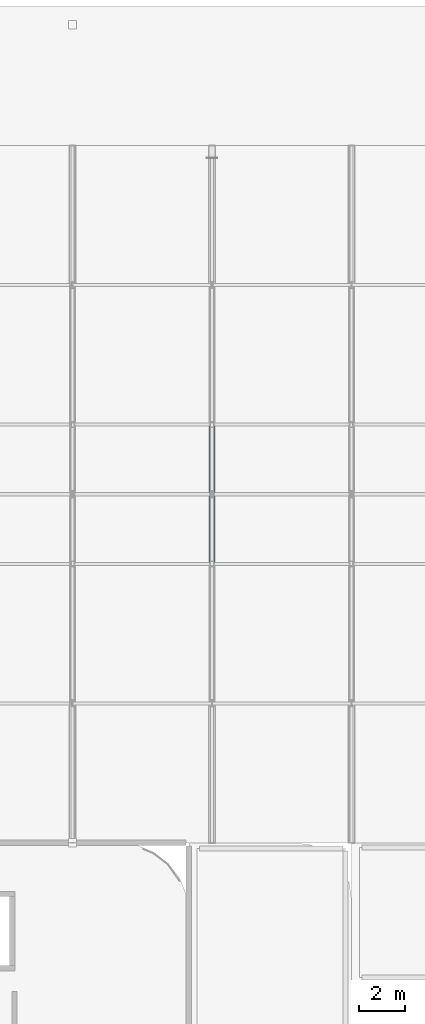
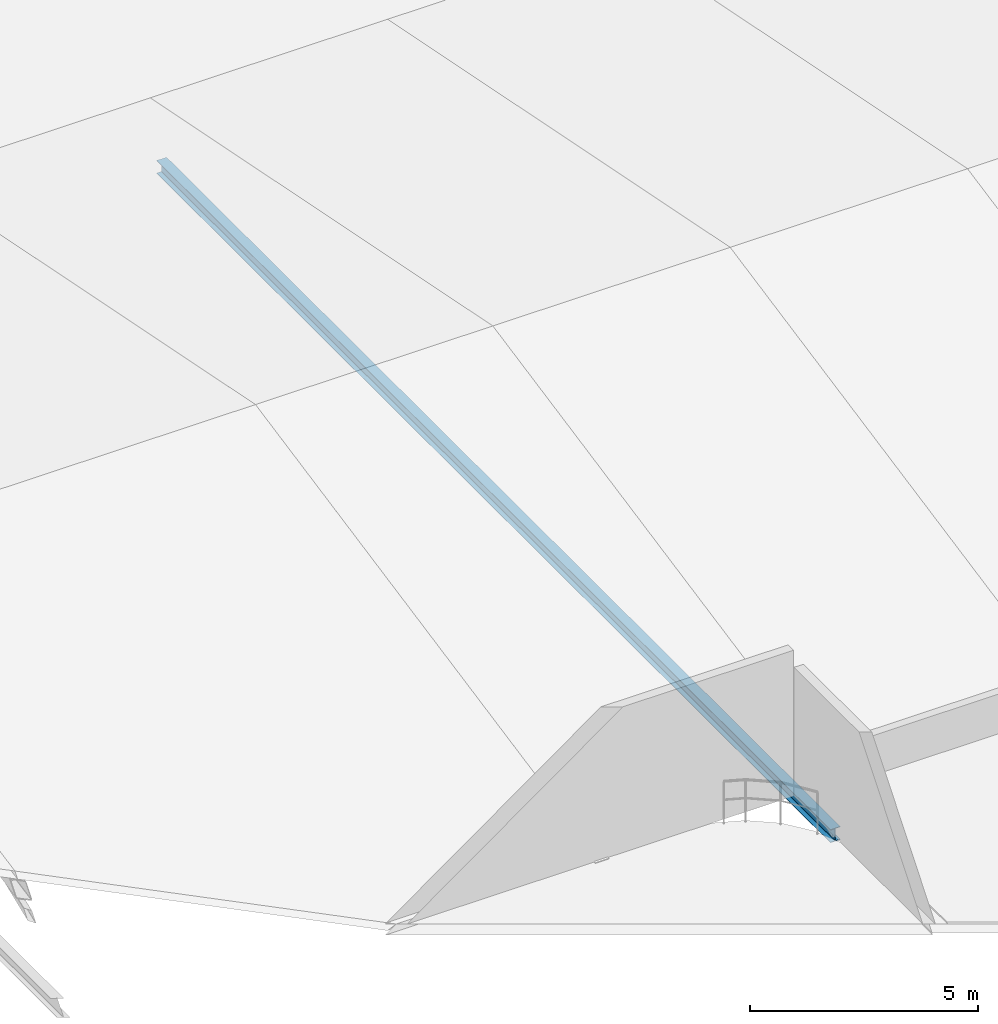
# One storey, part 31 of 83: 1 member.
"""IFC4 building model written with IfcOpenShell, lengths in metres."""

from ifc_helpers import new_model, si_unit, direction, frame, origin, origin_2d, place, context, subcontext, project, spatial, i_section, extrude, material, material_profile, profile_set, type_object, element, save


model = new_model("IFC4")

# Units and contexts
model_context = context("Model", 3, precision=1e-05, world=origin(), true_north=direction((0.0, 1.0)))
body_context = subcontext(model_context, "Body", "Model", "MODEL_VIEW")
ifc_project = project(units=[si_unit("LENGTHUNIT", "METRE"), si_unit("AREAUNIT", "SQUARE_METRE"), si_unit("VOLUMEUNIT", "CUBIC_METRE"), si_unit("PLANEANGLEUNIT", "RADIAN"), si_unit("MASSUNIT", "GRAM", prefix="KILO")], contexts=[model_context])

# Site, building, storey
site_placement = place(None, origin())
site = spatial("IfcSite", under=ifc_project, at=site_placement, CompositionType="ELEMENT")
building_placement = place(site_placement, origin())
building = spatial("IfcBuilding", under=site, at=building_placement, Name="Varnakota Square Police Headquarters", CompositionType="ELEMENT")
storey_placement = place(building_placement, frame((0.0, 0.0, 18.0)))
storey = spatial("IfcBuildingStorey", under=building, at=storey_placement, Name="L04", CompositionType="ELEMENT", Elevation=18.0)

# Member
ifc_material = material(Name="Steel IS 2062 Grade 350", Category="steel")
ifc_material_profile = material_profile(ifc_material, i_section(OverallWidth=0.25, OverallDepth=0.35009765625, WebThickness=0.010009765625, FlangeThickness=0.01171875, FilletRadius=0.011962890625, at=origin_2d()), Name="ISHB 350")
ifc_profile_set = profile_set([ifc_material_profile], Name="Steel IS 2062 Grade 350")
member_type = type_object("IfcMemberType", Name="MEM-TRCH-ISHB350", PredefinedType="CHORD", material=ifc_profile_set)
member_placement = place(storey_placement, frame((36.0, 75.0, -1.5), z_axis=(0.0, 1.0, 0.0), x_axis=(-1.0, 0.0, 0.0)))
element("IfcMember", 1, at=member_placement, inside=storey, type_object=member_type, Name="ROOF TRUSS bottom chord T5", PredefinedType="CHORD", context=body_context, shape_type="SweptSolid", body=[
    extrude(i_section(OverallWidth=0.25, OverallDepth=0.35009765625, WebThickness=0.010009765625, FlangeThickness=0.01171875, FilletRadius=0.011962890625, at=origin_2d()), origin(), (0.0, 0.0, 1.0), 29.5),
])

save(model, "model.ifc")
